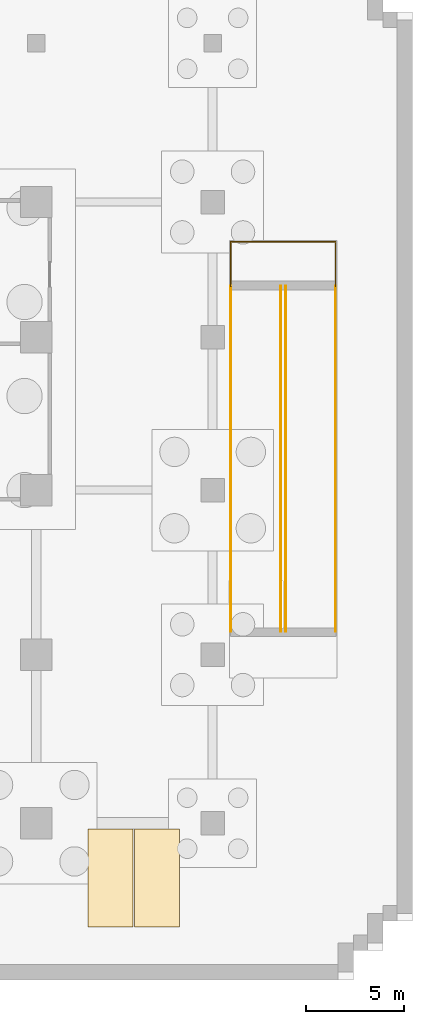
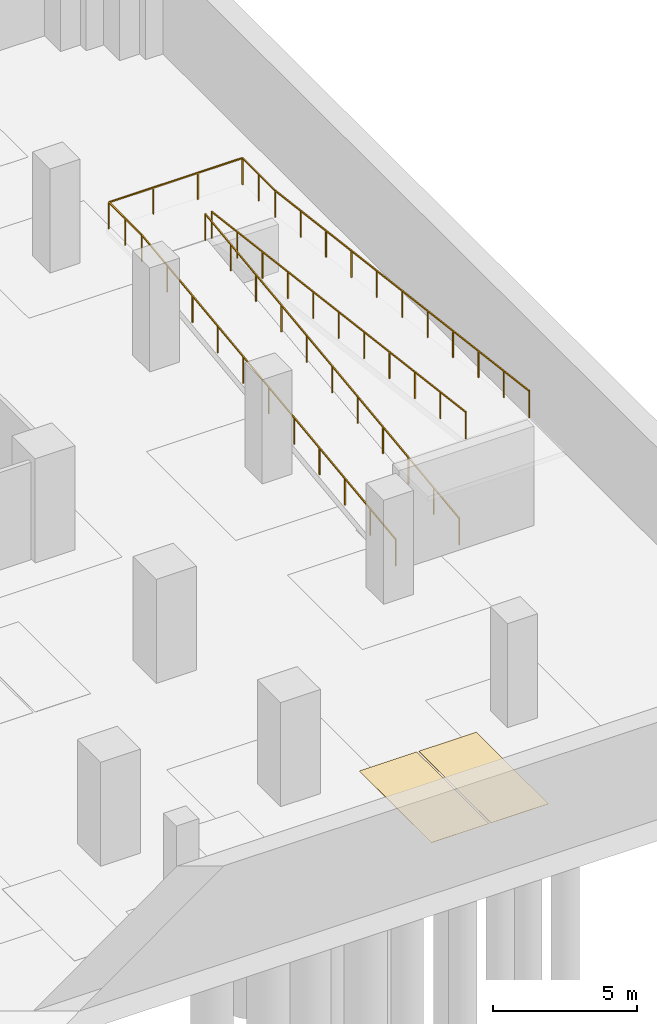
# One storey, part 12 of 13: 5 railings, 2 coverings.
"""IFC4 building model written with IfcOpenShell, lengths in metres."""

import ifcopenshell
import ifcopenshell.guid

model = None  # the IFC model being written
_history = None  # IfcOwnerHistory: only IFC2X3 demands one
_inside = {}  # id of a spatial element -> (the spatial element, [elements in it])
_under = {}  # id of a project, library or spatial element -> (it, [spatial elements below it])
_declared = {}  # id of a project -> (the project, [libraries it declares])
_typed = {}  # id of a type object -> (the type object, [elements of that type])
_made_of = {}  # id of a material, layer set ... -> (it, [elements and type objects made of it])


def new_model(schema):
    """Start an empty IFC model of exactly this schema.

    Asked for "IFC4X3", IfcOpenShell would pick the latest addendum, in which some entities
    have other attributes; the version numbers below select the first issue.
    IFC2X3 requires an IfcOwnerHistory on every rooted entity: one is made here for all.
    """
    global model, _history
    if schema == "IFC4X3":
        model = ifcopenshell.file(schema_version=(4, 3, 0, 0))
    else:
        model = ifcopenshell.file(schema=schema)
    _inside.clear()
    _under.clear()
    _declared.clear()
    _typed.clear()
    _made_of.clear()
    _history = None
    if model.schema == "IFC2X3":
        org = make("IfcOrganization", Name="unknown")
        user = make(
            "IfcPersonAndOrganization",
            ThePerson=make("IfcPerson", FamilyName="unknown"),
            TheOrganization=org,
        )
        app = make(
            "IfcApplication",
            ApplicationDeveloper=org,
            Version="unknown",
            ApplicationFullName="unknown",
            ApplicationIdentifier="unknown",
        )
        _history = make(
            "IfcOwnerHistory",
            OwningUser=user,
            OwningApplication=app,
            ChangeAction="ADDED",
            CreationDate=0,
        )
    return model


def make(cls, **values):
    """One entity of the class cls with the attributes given. An attribute that is None is left unset."""
    return model.create_entity(
        cls, **{name: value for name, value in values.items() if value is not None}
    )


def rooted(cls, **values):
    """An entity with a GlobalId (a new one), such as an element, a storey or a relation."""
    return make(cls, GlobalId=ifcopenshell.guid.new(), OwnerHistory=_history, **values)


def si_unit(unit_type, name, prefix=None):
    """IfcSIUnit, for example si_unit("LENGTHUNIT", "METRE", prefix="MILLI")."""
    return make("IfcSIUnit", UnitType=unit_type, Prefix=prefix, Name=name)


def assignment(units):
    """IfcUnitAssignment: the units of a project."""
    return None if units is None else make("IfcUnitAssignment", Units=units)


def point(xyz):
    """IfcCartesianPoint."""
    return None if xyz is None else make("IfcCartesianPoint", Coordinates=xyz)


def direction(xyz):
    """IfcDirection."""
    return None if xyz is None else make("IfcDirection", DirectionRatios=xyz)


def frame(location, z_axis=None, x_axis=None):
    """IfcAxis2Placement3D, a coordinate frame: its origin and axes. An axis left out is left unset."""
    return make(
        "IfcAxis2Placement3D",
        Location=point(location),
        Axis=direction(z_axis),
        RefDirection=direction(x_axis),
    )


def frame_2d(location, x_axis=None):
    """IfcAxis2Placement2D, a coordinate frame in the plane: its origin and x axis."""
    return make(
        "IfcAxis2Placement2D", Location=point(location), RefDirection=direction(x_axis)
    )


def origin():
    """The frame at (0, 0, 0) with its axes left unset."""
    return frame((0.0, 0.0, 0.0))


def origin_2d():
    """The frame at (0, 0) in the plane with its x axis left unset."""
    return frame_2d((0.0, 0.0))


def place(relative_to, where):
    """IfcLocalPlacement: puts the frame where relative to a parent placement (None: the world)."""
    return make(
        "IfcLocalPlacement", PlacementRelTo=relative_to, RelativePlacement=where
    )


def context(
    kind, dimensions, precision=None, world=None, true_north=None, identifier=None
):
    """IfcGeometricRepresentationContext, for example the 3D "Model" context."""
    return make(
        "IfcGeometricRepresentationContext",
        ContextIdentifier=identifier,
        ContextType=kind,
        CoordinateSpaceDimension=dimensions,
        Precision=precision,
        WorldCoordinateSystem=world,
        TrueNorth=true_north,
    )


def subcontext(parent, identifier, kind, view, scale=None):
    """IfcGeometricRepresentationSubContext, for example "Body" below "Model"."""
    return make(
        "IfcGeometricRepresentationSubContext",
        ContextIdentifier=identifier,
        ContextType=kind,
        ParentContext=parent,
        TargetScale=scale,
        TargetView=view,
    )


def project(units=None, contexts=None):
    """IfcProject with its units and contexts."""
    return rooted(
        "IfcProject",
        Name="project",
        RepresentationContexts=contexts,
        UnitsInContext=assignment(units),
    )


def spatial(cls, under=None, at=None, **own):
    """A site, building, storey or space (cls), placed at a placement, below another one or the project."""
    s = rooted(cls, ObjectPlacement=at, **own)
    if under is not None:
        _under.setdefault(under.id(), (under, []))[1].append(s)
    return s


def polyline(points):
    """IfcPolyline through the points."""
    return make("IfcPolyline", Points=[point(p) for p in points])


def profile(cls, at=None, kind="AREA", **sizes):
    """A parametric profile (cls). Its sizes go by their IFC names, for example OverallWidth=200.0."""
    return make(cls, ProfileType=kind, Position=at, **sizes)


def rectangle(**sizes):
    """IfcRectangleProfileDef."""
    return profile("IfcRectangleProfileDef", **sizes)


def outline(outer, holes=None, kind="AREA"):
    """IfcArbitraryClosedProfileDef: a profile drawn as a closed curve; with holes, ...WithVoids."""
    if holes is None:
        return make("IfcArbitraryClosedProfileDef", ProfileType=kind, OuterCurve=outer)
    return make(
        "IfcArbitraryProfileDefWithVoids",
        ProfileType=kind,
        OuterCurve=outer,
        InnerCurves=holes,
    )


def extrude(swept, where, along, depth):
    """IfcExtrudedAreaSolid: the profile swept, set in the frame where, extruded along a direction by depth."""
    return make(
        "IfcExtrudedAreaSolid",
        SweptArea=swept,
        Position=where,
        ExtrudedDirection=direction(along),
        Depth=depth,
    )


def shape(context_of_items, identifier, shape_type, items):
    """IfcShapeRepresentation: the items that make up one representation, for example the "Body"."""
    return make(
        "IfcShapeRepresentation",
        ContextOfItems=context_of_items,
        RepresentationIdentifier=identifier,
        RepresentationType=shape_type,
        Items=items,
    )


def material(Name=None, Category=None):
    """IfcMaterial."""
    return make("IfcMaterial", Name=Name, Category=Category)


def layer(
    of_material, thickness, ventilated=None, Name=None, Category=None, Priority=None
):
    """IfcMaterialLayer: one layer of a wall or slab, of a material (None: an air gap)."""
    return make(
        "IfcMaterialLayer",
        Material=of_material,
        LayerThickness=thickness,
        IsVentilated=ventilated,
        Name=Name,
        Category=Category,
        Priority=Priority,
    )


def layer_set(layers, Name=None):
    """IfcMaterialLayerSet."""
    return make("IfcMaterialLayerSet", MaterialLayers=layers, LayerSetName=Name)


def made_of(thing, what):
    """Note that an element or type object is made of a material, layer set ...; save() writes the relation."""
    if what is not None:
        _made_of.setdefault(what.id(), (what, []))[1].append(thing)
    return thing


def type_object(cls, material=None, **own):
    """A type object (cls), such as IfcWallType, which elements share."""
    return made_of(rooted(cls, **own), material)


def element(
    cls,
    number,
    at=None,
    inside=None,
    cuts=None,
    type_object=None,
    material=None,
    context=None,
    identifier="Body",
    shape_type=None,
    held_by="IfcProductDefinitionShape",
    body=None,
    shapes=None,
    **own,
):
    """One element of the class cls, such as IfcWall. Its Tag is "e" and its number.

    at: its placement. inside: the storey or other place that contains it. cuts: it is an
    opening in that element (IfcRelVoidsElement). A single representation is given by context,
    identifier, shape_type and body (its items); several are given by shapes. held_by: the class
    of the entity that holds the representations. save() writes the other relations.
    """
    e = rooted(cls, Tag="e%d" % number, ObjectPlacement=at, **own)
    if body is not None:
        shapes = [shape(context, identifier, shape_type, body)]
    if shapes is not None:
        e.Representation = make(held_by, Representations=shapes)
    if inside is not None:
        _inside.setdefault(inside.id(), (inside, []))[1].append(e)
    if cuts is not None:
        rooted(
            "IfcRelVoidsElement", RelatingBuildingElement=cuts, RelatedOpeningElement=e
        )
    if type_object is not None:
        _typed.setdefault(type_object.id(), (type_object, []))[1].append(e)
    return made_of(e, material)


def aggregate(whole, parts):
    """IfcRelAggregates: a whole, such as a stair, and the parts it consists of."""
    return rooted("IfcRelAggregates", RelatingObject=whole, RelatedObjects=parts)


def save(model, path):
    """Write the relations noted so far, then the file.

    IfcRelAggregates (storeys below a building ...), IfcRelContainedInSpatialStructure (elements
    in a storey), IfcRelDefinesByType, IfcRelAssociatesMaterial and IfcRelDeclares: one each for
    every whole, place, type object, material and project.
    """
    for whole, parts in _under.values():
        aggregate(whole, parts)
    for where, things in _inside.values():
        rooted(
            "IfcRelContainedInSpatialStructure",
            RelatedElements=things,
            RelatingStructure=where,
        )
    for kind, things in _typed.values():
        rooted("IfcRelDefinesByType", RelatedObjects=things, RelatingType=kind)
    for what, things in _made_of.values():
        rooted("IfcRelAssociatesMaterial", RelatedObjects=things, RelatingMaterial=what)
    for by, libraries in _declared.values():
        rooted("IfcRelDeclares", RelatingContext=by, RelatedDefinitions=libraries)
    model.write(path)


model = new_model("IFC4")

# Units and contexts
model_context = context("Model", 3, precision=1e-05, world=origin(), true_north=direction((0.0, 1.0)))
body_context = subcontext(model_context, "Body", "Model", "MODEL_VIEW")
ifc_project = project(units=[si_unit("LENGTHUNIT", "METRE"), si_unit("AREAUNIT", "SQUARE_METRE"), si_unit("VOLUMEUNIT", "CUBIC_METRE"), si_unit("PLANEANGLEUNIT", "RADIAN"), si_unit("MASSUNIT", "GRAM", prefix="KILO")], contexts=[model_context])

# Site, building, storey
site_placement = place(None, origin())
site = spatial("IfcSite", under=ifc_project, at=site_placement, CompositionType="ELEMENT")
building_placement = place(site_placement, origin())
building = spatial("IfcBuilding", under=site, at=building_placement, Name="Zarnakvel Exchange Tower", CompositionType="ELEMENT")
storey_placement = place(building_placement, frame((0.0, 0.0, -13.199951171875)))
storey = spatial("IfcBuildingStorey", under=building, at=storey_placement, Name="B03", CompositionType="ELEMENT", Elevation=-13.199951171875)

# Coverings
ifc_material_1 = material(Name="Thermoplastic Acrylic Bay Marking", Category="finish")
ifc_layer = layer(ifc_material_1, 0.010009765625)
ifc_layer_set = layer_set([ifc_layer], Name="Thermoplastic Acrylic Bay Marking")
covering_type = type_object("IfcCoveringType", Name="MK-01", PredefinedType="FLOORING", material=ifc_layer_set)
covering_1_placement = place(storey_placement, origin())
element("IfcCovering", 1, at=covering_1_placement, inside=storey, type_object=covering_type, Name="B03 Standard Parking Bay Marking B03-12", PredefinedType="FLOORING", context=body_context, shape_type="SweptSolid", body=[
    extrude(outline(polyline([(24.239990234375, -23.5), (26.5400390625, -23.5), (26.5400390625, -18.5), (24.239990234375, -18.5), (24.239990234375, -23.5)])), origin(), (0.0, 0.0, 1.0), 0.010009765625),
])
covering_2_placement = place(storey_placement, origin())
element("IfcCovering", 2, at=covering_2_placement, inside=storey, type_object=covering_type, Name="B03 Standard Parking Bay Marking B03-13", PredefinedType="FLOORING", context=body_context, shape_type="SweptSolid", body=[
    extrude(outline(polyline([(26.6201171875, -23.5), (28.919921875, -23.5), (28.919921875, -18.5), (26.6201171875, -18.5), (26.6201171875, -23.5)])), origin(), (0.0, 0.0, 1.0), 0.010009765625),
])

# Railings
ifc_material_2 = material(Name="Architectural Bronze Anodised Aluminium", Category="aluminium")
railing_type = type_object("IfcRailingType", Name="SG-01", PredefinedType="GUARDRAIL", material=ifc_material_2)
railing_1_placement = place(storey_placement, frame((31.530029296875, -8.39990234375, 0.0)))
element("IfcRailing", 3, at=railing_1_placement, inside=storey, type_object=railing_type, Name="B03 Ramp Flight 1 Guard FL1W", PredefinedType="GUARDRAIL", context=body_context, shape_type="SweptSolid", body=[
    extrude(rectangle(XDim=0.048095703125, YDim=0.048095703125, at=origin_2d()), frame((0.0, 0.0, 1.1259765625), z_axis=(0.0, 0.992278088476, 0.124033040481), x_axis=(-1.0, 0.0, 0.0)), (0.0, 0.0, 1.0), 17.73681640625),
    extrude(rectangle(XDim=0.0419921875, YDim=0.0419921875, at=origin_2d()), origin(), (0.0, 0.0, 1.0), 1.101806640625),
    extrude(rectangle(XDim=0.0419921875, YDim=0.0419921875, at=origin_2d()), frame((0.0, 1.760009765625, 0.219970703125)), (0.0, 0.0, 1.0), 1.101806640625),
    extrude(rectangle(XDim=0.0419921875, YDim=0.0419921875, at=origin_2d()), frame((0.0, 3.52001953125, 0.43994140625)), (0.0, 0.0, 1.0), 1.101806640625),
    extrude(rectangle(XDim=0.0419921875, YDim=0.0419921875, at=origin_2d()), frame((0.0, 5.280029296875, 0.659912109375)), (0.0, 0.0, 1.0), 1.101806640625),
    extrude(rectangle(XDim=0.0419921875, YDim=0.0419921875, at=origin_2d()), frame((0.0, 7.0400390625, 0.8798828125)), (0.0, 0.0, 1.0), 1.101806640625),
    extrude(rectangle(XDim=0.0419921875, YDim=0.0419921875, at=origin_2d()), frame((0.0, 8.7998046875, 1.10009765625)), (0.0, 0.0, 1.0), 1.101806640625),
    extrude(rectangle(XDim=0.0419921875, YDim=0.0419921875, at=origin_2d()), frame((0.0, 10.559814453125, 1.320068359375)), (0.0, 0.0, 1.0), 1.101806640625),
    extrude(rectangle(XDim=0.0419921875, YDim=0.0419921875, at=origin_2d()), frame((0.0, 12.31982421875, 1.5400390625)), (0.0, 0.0, 1.0), 1.101806640625),
    extrude(rectangle(XDim=0.0419921875, YDim=0.0419921875, at=origin_2d()), frame((0.0, 14.079833984375, 1.760009765625)), (0.0, 0.0, 1.0), 1.101806640625),
    extrude(rectangle(XDim=0.0419921875, YDim=0.0419921875, at=origin_2d()), frame((0.0, 15.83984375, 1.97998046875)), (0.0, 0.0, 1.0), 1.101806640625),
    extrude(rectangle(XDim=0.0419921875, YDim=0.0419921875, at=origin_2d()), frame((0.0, 17.599853515625, 2.199951171875)), (0.0, 0.0, 1.0), 1.101806640625),
])
railing_2_placement = place(storey_placement, frame((34.070068359375, -8.39990234375, 0.0)))
element("IfcRailing", 4, at=railing_2_placement, inside=storey, type_object=railing_type, Name="B03 Ramp Flight 1 Guard FL1E", PredefinedType="GUARDRAIL", context=body_context, shape_type="SweptSolid", body=[
    extrude(rectangle(XDim=0.048095703125, YDim=0.048095703125, at=origin_2d()), frame((0.0, 0.0, 1.1259765625), z_axis=(0.0, 0.992278088476, 0.124033040481), x_axis=(-1.0, 0.0, 0.0)), (0.0, 0.0, 1.0), 17.73681640625),
    extrude(rectangle(XDim=0.0419921875, YDim=0.0419921875, at=origin_2d()), origin(), (0.0, 0.0, 1.0), 1.101806640625),
    extrude(rectangle(XDim=0.0419921875, YDim=0.0419921875, at=origin_2d()), frame((0.0, 1.760009765625, 0.219970703125)), (0.0, 0.0, 1.0), 1.101806640625),
    extrude(rectangle(XDim=0.0419921875, YDim=0.0419921875, at=origin_2d()), frame((0.0, 3.52001953125, 0.43994140625)), (0.0, 0.0, 1.0), 1.101806640625),
    extrude(rectangle(XDim=0.0419921875, YDim=0.0419921875, at=origin_2d()), frame((0.0, 5.280029296875, 0.659912109375)), (0.0, 0.0, 1.0), 1.101806640625),
    extrude(rectangle(XDim=0.0419921875, YDim=0.0419921875, at=origin_2d()), frame((0.0, 7.0400390625, 0.8798828125)), (0.0, 0.0, 1.0), 1.101806640625),
    extrude(rectangle(XDim=0.0419921875, YDim=0.0419921875, at=origin_2d()), frame((0.0, 8.7998046875, 1.10009765625)), (0.0, 0.0, 1.0), 1.101806640625),
    extrude(rectangle(XDim=0.0419921875, YDim=0.0419921875, at=origin_2d()), frame((0.0, 10.559814453125, 1.320068359375)), (0.0, 0.0, 1.0), 1.101806640625),
    extrude(rectangle(XDim=0.0419921875, YDim=0.0419921875, at=origin_2d()), frame((0.0, 12.31982421875, 1.5400390625)), (0.0, 0.0, 1.0), 1.101806640625),
    extrude(rectangle(XDim=0.0419921875, YDim=0.0419921875, at=origin_2d()), frame((0.0, 14.079833984375, 1.760009765625)), (0.0, 0.0, 1.0), 1.101806640625),
    extrude(rectangle(XDim=0.0419921875, YDim=0.0419921875, at=origin_2d()), frame((0.0, 15.83984375, 1.97998046875)), (0.0, 0.0, 1.0), 1.101806640625),
    extrude(rectangle(XDim=0.0419921875, YDim=0.0419921875, at=origin_2d()), frame((0.0, 17.599853515625, 2.199951171875)), (0.0, 0.0, 1.0), 1.101806640625),
])
railing_3_placement = place(storey_placement, frame((34.330078125, 9.199951171875, 2.199951171875)))
element("IfcRailing", 5, at=railing_3_placement, inside=storey, type_object=railing_type, Name="B03 Ramp Flight 2 Guard FL2W", PredefinedType="GUARDRAIL", context=body_context, shape_type="SweptSolid", body=[
    extrude(rectangle(XDim=0.048095703125, YDim=0.048095703125, at=origin_2d()), frame((0.0, 0.0, 1.1259765625), z_axis=(0.0, -0.992278088476, 0.124033040481), x_axis=(1.0, 0.0, 0.0)), (0.0, 0.0, 1.0), 17.73681640625),
    extrude(rectangle(XDim=0.0419921875, YDim=0.0419921875, at=origin_2d()), origin(), (0.0, 0.0, 1.0), 1.101806640625),
    extrude(rectangle(XDim=0.0419921875, YDim=0.0419921875, at=origin_2d()), frame((0.0, -1.760009765625, 0.219970703125)), (0.0, 0.0, 1.0), 1.101806640625),
    extrude(rectangle(XDim=0.0419921875, YDim=0.0419921875, at=origin_2d()), frame((0.0, -3.52001953125, 0.43994140625)), (0.0, 0.0, 1.0), 1.101806640625),
    extrude(rectangle(XDim=0.0419921875, YDim=0.0419921875, at=origin_2d()), frame((0.0, -5.280029296875, 0.659912109375)), (0.0, 0.0, 1.0), 1.101806640625),
    extrude(rectangle(XDim=0.0419921875, YDim=0.0419921875, at=origin_2d()), frame((0.0, -7.0400390625, 0.8798828125)), (0.0, 0.0, 1.0), 1.101806640625),
    extrude(rectangle(XDim=0.0419921875, YDim=0.0419921875, at=origin_2d()), frame((0.0, -8.7998046875, 1.10009765625)), (0.0, 0.0, 1.0), 1.101806640625),
    extrude(rectangle(XDim=0.0419921875, YDim=0.0419921875, at=origin_2d()), frame((0.0, -10.559814453125, 1.320068359375)), (0.0, 0.0, 1.0), 1.101806640625),
    extrude(rectangle(XDim=0.0419921875, YDim=0.0419921875, at=origin_2d()), frame((0.0, -12.31982421875, 1.5400390625)), (0.0, 0.0, 1.0), 1.101806640625),
    extrude(rectangle(XDim=0.0419921875, YDim=0.0419921875, at=origin_2d()), frame((0.0, -14.079833984375, 1.760009765625)), (0.0, 0.0, 1.0), 1.101806640625),
    extrude(rectangle(XDim=0.0419921875, YDim=0.0419921875, at=origin_2d()), frame((0.0, -15.83984375, 1.97998046875)), (0.0, 0.0, 1.0), 1.101806640625),
    extrude(rectangle(XDim=0.0419921875, YDim=0.0419921875, at=origin_2d()), frame((0.0, -17.599853515625, 2.199951171875)), (0.0, 0.0, 1.0), 1.101806640625),
])
railing_4_placement = place(storey_placement, frame((36.8701171875, 9.199951171875, 2.199951171875)))
element("IfcRailing", 6, at=railing_4_placement, inside=storey, type_object=railing_type, Name="B03 Ramp Flight 2 Guard FL2E", PredefinedType="GUARDRAIL", context=body_context, shape_type="SweptSolid", body=[
    extrude(rectangle(XDim=0.048095703125, YDim=0.048095703125, at=origin_2d()), frame((0.0, 0.0, 1.1259765625), z_axis=(0.0, -0.992278088476, 0.124033040481), x_axis=(1.0, 0.0, 0.0)), (0.0, 0.0, 1.0), 17.73681640625),
    extrude(rectangle(XDim=0.0419921875, YDim=0.0419921875, at=origin_2d()), origin(), (0.0, 0.0, 1.0), 1.101806640625),
    extrude(rectangle(XDim=0.0419921875, YDim=0.0419921875, at=origin_2d()), frame((0.0, -1.760009765625, 0.219970703125)), (0.0, 0.0, 1.0), 1.101806640625),
    extrude(rectangle(XDim=0.0419921875, YDim=0.0419921875, at=origin_2d()), frame((0.0, -3.52001953125, 0.43994140625)), (0.0, 0.0, 1.0), 1.101806640625),
    extrude(rectangle(XDim=0.0419921875, YDim=0.0419921875, at=origin_2d()), frame((0.0, -5.280029296875, 0.659912109375)), (0.0, 0.0, 1.0), 1.101806640625),
    extrude(rectangle(XDim=0.0419921875, YDim=0.0419921875, at=origin_2d()), frame((0.0, -7.0400390625, 0.8798828125)), (0.0, 0.0, 1.0), 1.101806640625),
    extrude(rectangle(XDim=0.0419921875, YDim=0.0419921875, at=origin_2d()), frame((0.0, -8.7998046875, 1.10009765625)), (0.0, 0.0, 1.0), 1.101806640625),
    extrude(rectangle(XDim=0.0419921875, YDim=0.0419921875, at=origin_2d()), frame((0.0, -10.559814453125, 1.320068359375)), (0.0, 0.0, 1.0), 1.101806640625),
    extrude(rectangle(XDim=0.0419921875, YDim=0.0419921875, at=origin_2d()), frame((0.0, -12.31982421875, 1.5400390625)), (0.0, 0.0, 1.0), 1.101806640625),
    extrude(rectangle(XDim=0.0419921875, YDim=0.0419921875, at=origin_2d()), frame((0.0, -14.079833984375, 1.760009765625)), (0.0, 0.0, 1.0), 1.101806640625),
    extrude(rectangle(XDim=0.0419921875, YDim=0.0419921875, at=origin_2d()), frame((0.0, -15.83984375, 1.97998046875)), (0.0, 0.0, 1.0), 1.101806640625),
    extrude(rectangle(XDim=0.0419921875, YDim=0.0419921875, at=origin_2d()), frame((0.0, -17.599853515625, 2.199951171875)), (0.0, 0.0, 1.0), 1.101806640625),
])
railing_5_placement = place(storey_placement, frame((31.530029296875, 9.199951171875, 2.199951171875)))
element("IfcRailing", 7, at=railing_5_placement, inside=storey, type_object=railing_type, Name="B03 Ramp Mid-Landing Guardrail", PredefinedType="GUARDRAIL", context=body_context, shape_type="SweptSolid", body=[
    extrude(rectangle(XDim=0.048095703125, YDim=0.048095703125, at=origin_2d()), frame((0.0, 0.0, 1.1259765625), z_axis=(0.0, 1.0, 0.0), x_axis=(-1.0, 0.0, 0.0)), (0.0, 0.0, 1.0), 2.27001953125),
    extrude(rectangle(XDim=0.048095703125, YDim=0.048095703125, at=origin_2d()), frame((0.0, 2.27001953125, 1.1259765625), z_axis=(1.0, 0.0, 0.0), x_axis=(0.0, 1.0, 0.0)), (0.0, 0.0, 1.0), 5.340087890625),
    extrude(rectangle(XDim=0.048095703125, YDim=0.048095703125, at=origin_2d()), frame((5.340087890625, 2.27001953125, 1.1259765625), z_axis=(0.0, -1.0, 0.0), x_axis=(1.0, 0.0, 0.0)), (0.0, 0.0, 1.0), 2.27001953125),
    extrude(rectangle(XDim=0.0419921875, YDim=0.0419921875, at=origin_2d()), origin(), (0.0, 0.0, 1.0), 1.101806640625),
    extrude(rectangle(XDim=0.0419921875, YDim=0.0419921875, at=origin_2d()), frame((0.0, 1.135009765625, 0.0)), (0.0, 0.0, 1.0), 1.101806640625),
    extrude(rectangle(XDim=0.0419921875, YDim=0.0419921875, at=origin_2d()), frame((0.0, 2.27001953125, 0.0)), (0.0, 0.0, 1.0), 1.101806640625),
    extrude(rectangle(XDim=0.0419921875, YDim=0.0419921875, at=origin_2d()), frame((1.780029296875, 2.27001953125, 0.0)), (0.0, 0.0, 1.0), 1.101806640625),
    extrude(rectangle(XDim=0.0419921875, YDim=0.0419921875, at=origin_2d()), frame((3.56005859375, 2.27001953125, 0.0)), (0.0, 0.0, 1.0), 1.101806640625),
    extrude(rectangle(XDim=0.0419921875, YDim=0.0419921875, at=origin_2d()), frame((5.340087890625, 2.27001953125, 0.0)), (0.0, 0.0, 1.0), 1.101806640625),
    extrude(rectangle(XDim=0.0419921875, YDim=0.0419921875, at=origin_2d()), frame((5.340087890625, 1.135009765625, 0.0)), (0.0, 0.0, 1.0), 1.101806640625),
    extrude(rectangle(XDim=0.0419921875, YDim=0.0419921875, at=origin_2d()), frame((5.340087890625, 0.0, 0.0)), (0.0, 0.0, 1.0), 1.101806640625),
])

save(model, "model.ifc")
